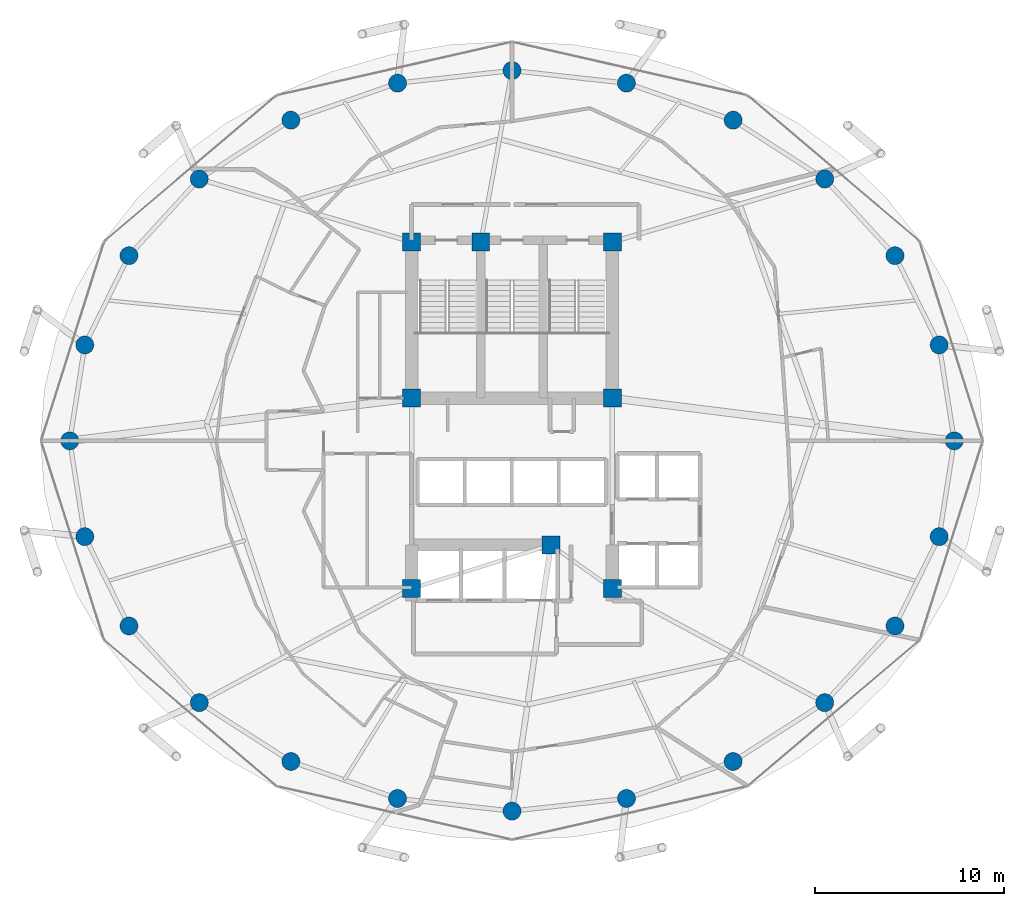
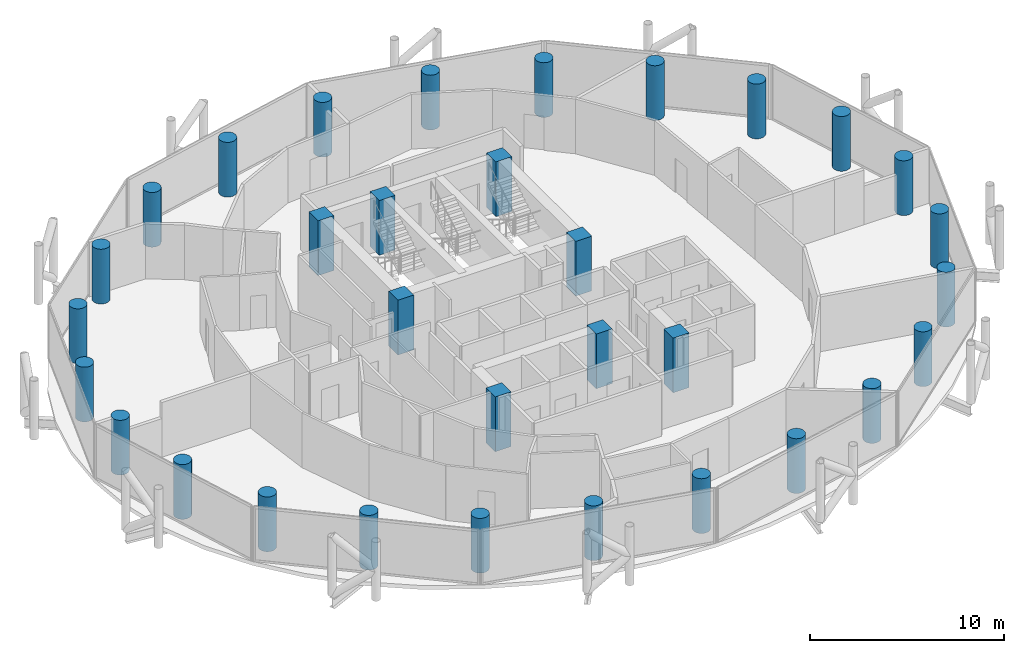
# One storey, part 1 of 26: 32 columns.
"""IFC4 building model written with IfcOpenShell, lengths in metres."""

from ifc_helpers import new_model, si_unit, direction, frame, origin, origin_2d, place, context, subcontext, project, spatial, rectangle, circle, extrude, material, material_profile, profile_set, type_object, element, save


model = new_model("IFC4")

# Units and contexts
model_context = context("Model", 3, precision=1e-05, world=origin(), true_north=direction((0.0, 1.0)))
body_context = subcontext(model_context, "Body", "Model", "MODEL_VIEW")
ifc_project = project(units=[si_unit("LENGTHUNIT", "METRE"), si_unit("AREAUNIT", "SQUARE_METRE"), si_unit("VOLUMEUNIT", "CUBIC_METRE"), si_unit("PLANEANGLEUNIT", "RADIAN"), si_unit("MASSUNIT", "GRAM", prefix="KILO")], contexts=[model_context])

# Site, building, storey
site_placement = place(None, origin())
site = spatial("IfcSite", under=ifc_project, at=site_placement, CompositionType="ELEMENT")
building_placement = place(site_placement, origin())
building = spatial("IfcBuilding", under=site, at=building_placement, Name="Nuhasar Tower", CompositionType="ELEMENT")
storey_placement = place(building_placement, frame((0.0, 0.0, 177.449951171875)))
storey = spatial("IfcBuildingStorey", under=building, at=storey_placement, Name="L43", CompositionType="ELEMENT", Elevation=177.449951171875)

# Columns
ifc_material = material(Name="Concrete C65/80", Category="concrete")
ifc_material_profile_1 = material_profile(ifc_material, circle(Radius=0.47509765625, at=origin_2d()), Name="CFT950")
ifc_profile_set_1 = profile_set([ifc_material_profile_1], Name="Concrete C65/80")
column_type_1 = type_object("IfcColumnType", Name="COL-CFT-950", PredefinedType="COLUMN", material=ifc_profile_set_1)
for number, where, z_axis, x_axis, name in (
    (1, (62.35009765625, 26.800048828125, 0.0), (0.0, 0.0, 1.0), (1.0, 0.0, 0.0), "L43 Perimeter Composite Column TC-01"),
    (2, (61.553955078125, 31.860107421875, 0.0), (0.0, 0.0, 1.0), (1.0, 0.0, 0.0), "L43 Perimeter Composite Column TC-02"),
    (3, (59.221923828125, 36.574951171875, 0.0), (0.0, 0.0, 1.0), (1.0, 0.0, 0.0), "L43 Perimeter Composite Column TC-03"),
    (4, (55.510986328125, 40.6240234375, 0.0), (0.0, 0.0, 1.0), (1.0, 0.0, 0.0), "L43 Perimeter Composite Column TC-04"),
    (5, (50.675048828125, 43.73095703125, 0.0), (0.0, 0.0, 1.0), (1.0, 0.0, 0.0), "L43 Perimeter Composite Column TC-05"),
    (6, (45.04296875, 45.68408203125, 0.0), (0.0, 0.0, 1.0), (1.0, 0.0, 0.0), "L43 Perimeter Composite Column TC-06"),
    (7, (39.0, 46.35009765625, 0.0), (0.0, 0.0, 1.0), (1.0, 0.0, 0.0), "L43 Perimeter Composite Column TC-07"),
    (8, (32.95703125, 45.68408203125, 0.0), (0.0, 0.0, 1.0), (1.0, 0.0, 0.0), "L43 Perimeter Composite Column TC-08"),
    (9, (27.324951171875, 43.73095703125, 0.0), (0.0, 0.0, 1.0), (1.0, 0.0, 0.0), "L43 Perimeter Composite Column TC-09"),
    (10, (22.489013671875, 40.6240234375, 0.0), (0.0, 0.0, 1.0), (1.0, 0.0, 0.0), "L43 Perimeter Composite Column TC-10"),
    (11, (18.778076171875, 36.574951171875, 0.0), (0.0, 0.0, 1.0), (1.0, 0.0, 0.0), "L43 Perimeter Composite Column TC-11"),
    (12, (16.446044921875, 31.860107421875, 0.0), (0.0, 0.0, 1.0), (1.0, 0.0, 0.0), "L43 Perimeter Composite Column TC-12"),
    (13, (15.64990234375, 26.800048828125, 0.0), (0.0, 0.0, 1.0), (1.0, 0.0, 0.0), "L43 Perimeter Composite Column TC-13"),
    (14, (16.446044921875, 21.739990234375, 0.0), (0.0, 0.0, 1.0), (1.0, 0.0, 0.0), "L43 Perimeter Composite Column TC-14"),
    (15, (18.778076171875, 17.02490234375, 0.0), (0.0, 0.0, 1.0), (1.0, 0.0, 0.0), "L43 Perimeter Composite Column TC-15"),
    (16, (22.489013671875, 12.97607421875, 0.0), (0.0, 0.0, 1.0), (1.0, 0.0, 0.0), "L43 Perimeter Composite Column TC-16"),
    (17, (27.324951171875, 9.868896484375, 0.0), (0.0, 0.0, 1.0), (1.0, 0.0, 0.0), "L43 Perimeter Composite Column TC-17"),
    (18, (32.95703125, 7.916015625, 0.0), (0.0, 0.0, 1.0), (1.0, 0.0, 0.0), "L43 Perimeter Composite Column TC-18"),
    (19, (39.0, 7.25, 0.0), (0.0, 0.0, 1.0), (1.0, 0.0, 0.0), "L43 Perimeter Composite Column TC-19"),
    (20, (45.04296875, 7.916015625, 0.0), (0.0, 0.0, 1.0), (1.0, 0.0, 0.0), "L43 Perimeter Composite Column TC-20"),
    (21, (50.675048828125, 9.868896484375, 0.0), (0.0, 0.0, 1.0), (1.0, 0.0, 0.0), "L43 Perimeter Composite Column TC-21"),
    (22, (55.510986328125, 12.97607421875, 0.0), (0.0, 0.0, 1.0), (1.0, 0.0, 0.0), "L43 Perimeter Composite Column TC-22"),
    (23, (59.221923828125, 17.02490234375, 0.0), (0.0, 0.0, 1.0), (1.0, 0.0, 0.0), "L43 Perimeter Composite Column TC-23"),
    (24, (61.553955078125, 21.739990234375, 0.0), (0.0, 0.0, 1.0), (1.0, 0.0, 0.0), "L43 Perimeter Composite Column TC-24"),
):
    element("IfcColumn", number, at=place(storey_placement, frame(where, z_axis=z_axis, x_axis=x_axis)), inside=storey, type_object=column_type_1, Name=name, PredefinedType="COLUMN", context=body_context, shape_type="SweptSolid", body=[
        extrude(circle(Radius=0.47509765625, at=origin_2d()), origin(), (0.0, 0.0, 1.0), 3.449951171875),
    ])
ifc_material_profile_2 = material_profile(ifc_material, rectangle(XDim=0.949951171875, YDim=0.949951171875, at=origin_2d()), Name="RC950X950")
ifc_profile_set_2 = profile_set([ifc_material_profile_2], Name="Concrete C65/80")
column_type_2 = type_object("IfcColumnType", Name="PIL-RC-950", PredefinedType="PILASTER", material=ifc_profile_set_2)
for number, where, z_axis, x_axis, name in (
    (25, (33.699951171875, 19.0, 0.0), (0.0, 0.0, 1.0), (1.0, 0.0, 0.0), "L43 Core Boundary Pilaster CC-01"),
    (26, (41.050048828125, 21.300048828125, 0.0), (0.0, 0.0, 1.0), (1.0, 0.0, 0.0), "L43 Core Boundary Pilaster CC-02"),
    (27, (44.300048828125, 19.0, 0.0), (0.0, 0.0, 1.0), (1.0, 0.0, 0.0), "L43 Core Boundary Pilaster CC-03"),
    (28, (44.300048828125, 29.050048828125, 0.0), (0.0, 0.0, 1.0), (1.0, 0.0, 0.0), "L43 Core Boundary Pilaster CC-04"),
    (29, (44.300048828125, 37.300048828125, 0.0), (0.0, 0.0, 1.0), (1.0, 0.0, 0.0), "L43 Core Boundary Pilaster CC-05"),
    (30, (37.35009765625, 37.300048828125, 0.0), (0.0, 0.0, 1.0), (1.0, 0.0, 0.0), "L43 Core Boundary Pilaster CC-06"),
    (31, (33.699951171875, 37.300048828125, 0.0), (0.0, 0.0, 1.0), (1.0, 0.0, 0.0), "L43 Core Boundary Pilaster CC-07"),
    (32, (33.699951171875, 29.050048828125, 0.0), (0.0, 0.0, 1.0), (1.0, 0.0, 0.0), "L43 Core Boundary Pilaster CC-08"),
):
    element("IfcColumn", number, at=place(storey_placement, frame(where, z_axis=z_axis, x_axis=x_axis)), inside=storey, type_object=column_type_2, Name=name, PredefinedType="PILASTER", context=body_context, shape_type="SweptSolid", body=[
        extrude(rectangle(XDim=0.949951171875, YDim=0.949951171875, at=origin_2d()), origin(), (0.0, 0.0, 1.0), 3.449951171875),
    ])

save(model, "model.ifc")
